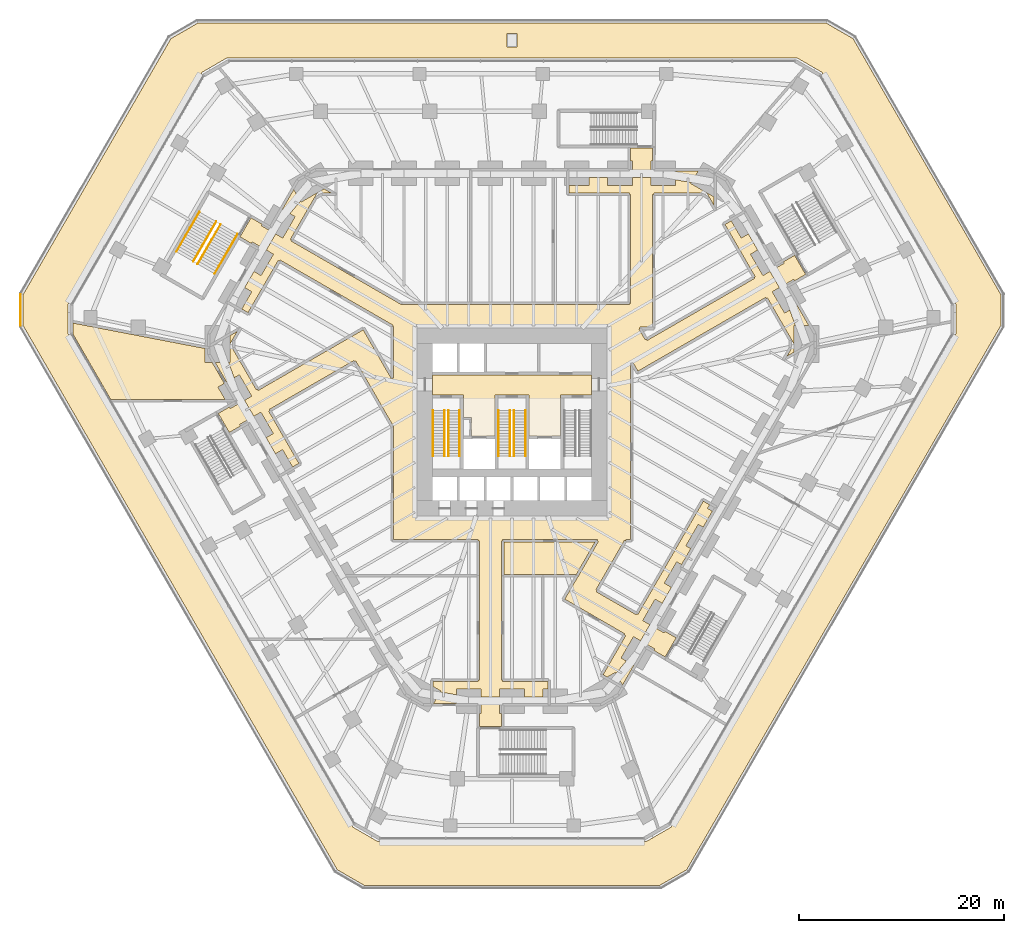
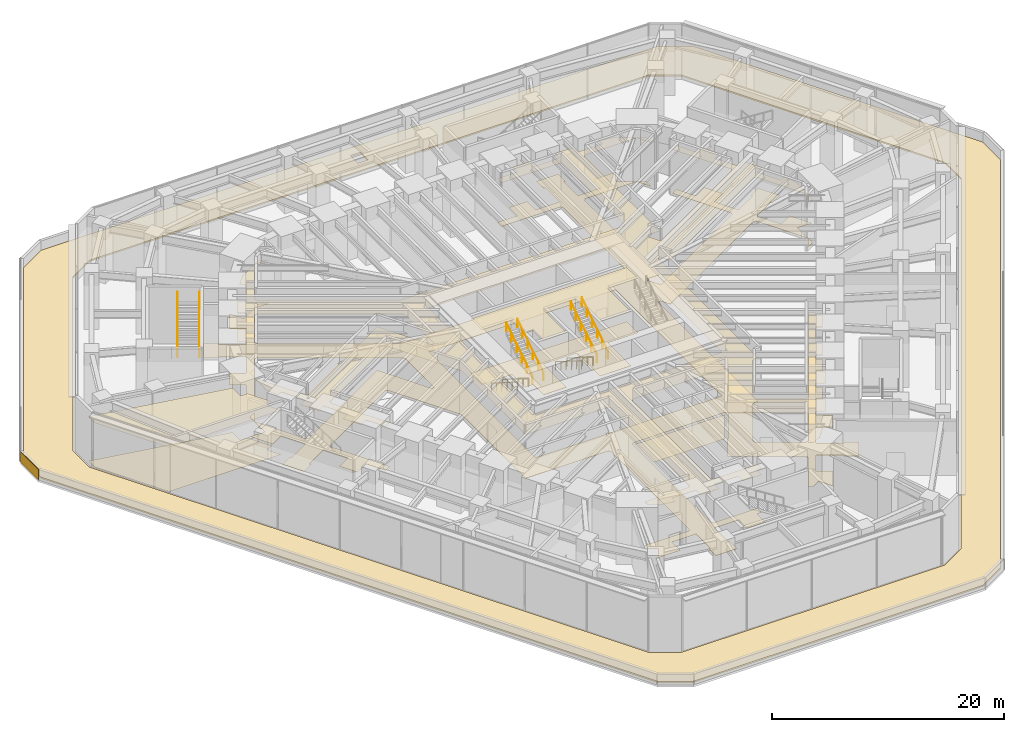
# One storey, part 23 of 25: 12 railings, 9 coverings.
"""IFC4 building model written with IfcOpenShell, lengths in metres."""

from ifc_helpers import new_model, si_unit, direction, frame, frame_2d, origin, origin_2d, place, context, subcontext, project, spatial, polyline, rectangle, circle, outline, extrude, material, layer, layer_set, type_object, element, save


model = new_model("IFC4")

# Units and contexts
model_context = context("Model", 3, precision=1e-05, world=origin(), true_north=direction((0.0, 1.0)))
body_context = subcontext(model_context, "Body", "Model", "MODEL_VIEW")
ifc_project = project(units=[si_unit("LENGTHUNIT", "METRE"), si_unit("AREAUNIT", "SQUARE_METRE"), si_unit("VOLUMEUNIT", "CUBIC_METRE"), si_unit("PLANEANGLEUNIT", "RADIAN"), si_unit("MASSUNIT", "GRAM", prefix="KILO")], contexts=[model_context])

# Site, building, storey
site_placement = place(None, origin())
site = spatial("IfcSite", under=ifc_project, at=site_placement, CompositionType="ELEMENT")
building_placement = place(site_placement, origin())
building = spatial("IfcBuilding", under=site, at=building_placement, Name="Sandreach Pilgrim Tower", CompositionType="ELEMENT")
storey_placement = place(building_placement, frame((0.0, 0.0, 6.0)))
storey = spatial("IfcBuildingStorey", under=building, at=storey_placement, Name="L01", CompositionType="ELEMENT", Elevation=6.0)

# Coverings
ifc_material_1 = material(Name="Acoustic mineral fibre tile ceiling on a suspension grid", Category="mineral")
ifc_layer_1 = layer(ifc_material_1, 0.02001953125)
ifc_layer_set_1 = layer_set([ifc_layer_1], Name="Acoustic mineral tile ceiling")
covering_type_1 = type_object("IfcCoveringType", Name="Acoustic mineral tile ceiling", PredefinedType="CEILING", material=ifc_layer_set_1)
covering_1_placement = place(storey_placement, frame((0.0, 0.0, 4.60009765625)))
element("IfcCovering", 1, at=covering_1_placement, inside=storey, type_object=covering_type_1, Name="Ceiling 01C Prayer foyer", PredefinedType="CEILING", context=body_context, shape_type="SweptSolid", body=[
    extrude(outline(polyline([(-27.5126953125, 4.26220703125), (-27.5126953125, 6.868896484375), (-26.77490234375, 7.2958984375), (-27.489990234375, 6.067138671875), (-24.908203125, 1.587646484375), (-24.800048828125, 1.64990234375), (-24.737548828125, 1.541748046875), (-14.505859375, 7.44921875), (-11.7783203125, 2.717529296875), (-11.544921875, 2.780029296875), (-11.544921875, 7.7900390625), (-11.670166015625, 7.7900390625), (-11.607666015625, 7.898193359375), (-22.617431640625, 14.248291015625), (-22.679931640625, 14.14013671875), (-22.7880859375, 14.20263671875), (-25.725830078125, 9.12060546875), (-26.342041015625, 9.476318359375), (-25.370849609375, 11.157958984375), (-26.063720703125, 11.55810546875), (-25.152587890625, 13.13623046875), (-24.459716796875, 12.736328125), (-23.259765625, 14.814697265625), (-23.95263671875, 15.214599609375), (-23.04150390625, 16.79296875), (-22.3486328125, 16.392822265625), (-21.148681640625, 18.47119140625), (-21.654541015625, 18.763427734375), (-20.623291015625, 19.99609375), (-20.565185546875, 19.8955078125), (-18.325439453125, 21.188720703125), (-17.607421875, 20.77490234375), (-18.994384765625, 20.77490234375), (-21.588134765625, 16.282470703125), (-21.47998046875, 16.219970703125), (-21.54248046875, 16.11181640625), (-10.763427734375, 9.89501953125), (11.429931640625, 9.89501953125), (11.429931640625, 10.02001953125), (11.554931640625, 10.02001953125), (11.554931640625, 20.64990234375), (11.429931640625, 20.64990234375), (11.429931640625, 20.77490234375), (5.554931640625, 20.77490234375), (5.554931640625, 21.48876953125), (7.514892578125, 21.48876953125), (7.514892578125, 22.288818359375), (9.32470703125, 22.288818359375), (9.32470703125, 21.48876953125), (11.724853515625, 21.48876953125), (11.724853515625, 22.288818359375), (13.53466796875, 22.288818359375), (13.53466796875, 21.48876953125), (15.934814453125, 21.48876953125), (15.934814453125, 22.072265625), (17.505859375, 21.796875), (17.447509765625, 21.695556640625), (19.69775390625, 20.396484375), (19.702392578125, 19.55029296875), (18.993896484375, 20.77490234375), (13.830078125, 20.77490234375), (13.830078125, 20.64990234375), (13.705078125, 20.64990234375), (13.705078125, 7.695068359375), (12.5, 7.695068359375), (12.5, 7.570068359375), (12.391845703125, 7.507080078125), (13.001953125, 6.457275390625), (13.111328125, 6.517822265625), (13.172607421875, 6.411865234375), (23.652587890625, 12.461669921875), (23.590087890625, 12.570068359375), (23.6982421875, 12.632568359375), (20.7607421875, 17.71435546875), (21.379638671875, 18.0712890625), (22.3486328125, 16.392822265625), (23.04150390625, 16.79296875), (23.95263671875, 15.214599609375), (23.259765625, 14.814697265625), (24.459716796875, 12.736328125), (25.152587890625, 13.13623046875), (26.063720703125, 11.55810546875), (25.370849609375, 11.157958984375), (26.571044921875, 9.07958984375), (27.076904296875, 9.37158203125), (27.628662109375, 7.862060546875), (27.5126953125, 7.862060546875), (27.5126953125, 5.280029296875), (26.793701171875, 4.863525390625), (27.48974609375, 6.064208984375), (24.898193359375, 10.552490234375), (24.7900390625, 10.489990234375), (24.7275390625, 10.598388671875), (12.275390625, 3.410400390625), (11.778076171875, 4.262939453125), (11.544921875, 4.199951171875), (11.544921875, -12.9951171875), (11.10009765625, -12.9951171875), (11.10009765625, -13.131591796875), (10.9716796875, -13.0576171875), (8.171630859375, -17.91748046875), (8.280029296875, -17.97998046875), (8.2177734375, -18.08837890625), (12.107666015625, -20.328369140625), (12.169921875, -20.219970703125), (12.2783203125, -20.282470703125), (18.64599609375, -9.26025390625), (19.2626953125, -9.613525390625), (19.062255859375, -9.960693359375), (19.53759765625, -10.235107421875), (18.632568359375, -11.802490234375), (18.1572265625, -11.528076171875), (16.957275390625, -13.6064453125), (17.432373046875, -13.880859375), (16.52734375, -15.4482421875), (16.05224609375, -15.174072265625), (14.852294921875, -17.25244140625), (15.545166015625, -17.65234375), (14.64013671875, -19.219970703125), (13.947265625, -18.81982421875), (12.747314453125, -20.8984375), (13.440185546875, -21.29833984375), (12.53515625, -22.86572265625), (11.842529296875, -22.4658203125), (10.642333984375, -24.544189453125), (11.147705078125, -24.8359375), (10.12353515625, -26.05908203125), (10.065185546875, -25.957763671875), (9.283447265625, -26.4091796875), (8.8798828125, -26.175537109375), (11.078369140625, -22.362548828125), (10.951904296875, -22.28955078125), (11.00244140625, -22.20166015625), (5.14111328125, -18.814453125), (6.439453125, -16.583251953125), (6.452880859375, -16.5908203125), (8.418212890625, -13.182373046875), (8.31005859375, -13.1201171875), (8.31005859375, -12.9951171875), (-0.909912109375, -12.9951171875), (-0.909912109375, -13.1201171875), (-1.034912109375, -13.1201171875), (-1.034912109375, -26.7099609375), (-0.9111328125, -26.7099609375), (-0.909423828125, -26.8349609375), (3.485107421875, -26.81494140625), (3.485107421875, -27.55078125), (3.022216796875, -27.55078125), (3.022216796875, -28.350830078125), (1.199951171875, -28.350830078125), (1.199951171875, -27.55078125), (-1.199951171875, -27.55078125), (-1.199951171875, -28.350830078125), (-3.022216796875, -28.350830078125), (-3.022216796875, -27.55078125), (-5.42236328125, -27.55078125), (-5.42236328125, -28.135009765625), (-7.00537109375, -27.858154296875), (-6.947509765625, -27.7578125), (-7.705078125, -27.3203125), (-7.705078125, -26.815673828125), (-3.310546875, -26.8349609375), (-3.31005859375, -26.7099609375), (-3.18505859375, -26.7099609375), (-3.18505859375, -13.1201171875), (-3.31005859375, -13.1201171875), (-3.31005859375, -12.9951171875), (-11.544921875, -12.9951171875), (-11.544921875, -1.986572265625), (-15.231689453125, 4.402587890625), (-15.340087890625, 4.340087890625), (-15.402587890625, 4.4482421875), (-23.66259765625, -0.32177734375), (-23.60009765625, -0.429931640625), (-23.708251953125, -0.492431640625), (-20.770751953125, -5.57421875), (-21.388916015625, -5.930908203125), (-22.3671875, -4.236328125), (-23.06005859375, -4.63623046875), (-23.965087890625, -3.06884765625), (-23.272216796875, -2.6689453125), (-24.47216796875, -0.59033203125), (-25.1650390625, -0.990478515625), (-26.070068359375, 0.5771484375), (-25.377197265625, 0.97705078125), (-26.5771484375, 3.055419921875), (-27.08251953125, 2.763671875), (-27.629638671875, 4.26220703125), (-27.5126953125, 4.26220703125)]), holes=[polyline([(9.27001953125, -10.719970703125), (9.27001953125, 7.6201171875), (-9.27001953125, 7.6201171875), (-9.27001953125, -10.719970703125), (9.27001953125, -10.719970703125)])]), origin(), (0.0, 0.0, 1.0), 0.02001953125),
])
ifc_material_2 = material(Name="Nylon carpet tile on the slab", Category="textile")
ifc_layer_2 = layer(ifc_material_2, 0.008056640625)
ifc_layer_set_2 = layer_set([ifc_layer_2], Name="Carpet tile")
covering_type_2 = type_object("IfcCoveringType", Name="Carpet tile", PredefinedType="FLOORING", material=ifc_layer_set_2)
covering_2_placement = place(storey_placement, origin())
element("IfcCovering", 2, at=covering_2_placement, inside=storey, type_object=covering_type_2, Name="Floor finish 01N3 Pilgrim counselling office", PredefinedType="FLOORING", context=body_context, shape_type="SweptSolid", body=[
    extrude(outline(polyline([(-42.79541015625, 7.02734375), (-42.79541015625, 8.105224609375), (-37.143310546875, 7.016845703125), (-37.143310546875, 6.994384765625), (-37.026611328125, 6.994384765625), (-29.91259765625, 5.62451171875), (-29.91259765625, 4.26220703125), (-29.223876953125, 4.26220703125), (-28.0400390625, 2.2109375), (-28.655517578125, 1.85546875), (-27.956787109375, 0.64501953125), (-39.110595703125, 0.64501953125), (-42.79541015625, 7.02734375)])), origin(), (0.0, 0.0, 1.0), 0.008056640625),
])
covering_3_placement = place(storey_placement, origin())
element("IfcCovering", 3, at=covering_3_placement, inside=storey, type_object=covering_type_2, Name="Floor finish 01FL Fire service lift lobby", PredefinedType="FLOORING", context=body_context, shape_type="SweptSolid", body=[
    extrude(outline(polyline([(-3.949951171875, -1.125), (-4.75, -1.125), (-4.75, 1.10009765625), (-7.75, 1.10009765625), (-7.75, 3.050048828125), (7.75, 3.050048828125), (7.75, 1.10009765625), (4.75, 1.10009765625), (4.75, -2.89990234375), (1.64990234375, -2.89990234375), (1.64990234375, 1.10009765625), (-1.64990234375, 1.10009765625), (-1.64990234375, -2.89990234375), (-3.949951171875, -2.89990234375), (-3.949951171875, -1.125)])), origin(), (0.0, 0.0, 1.0), 0.008056640625),
])
ifc_material_3 = material(Name="Epoxy resin floor on the slab", Category="plastic")
ifc_layer_3 = layer(ifc_material_3, 0.00390625)
ifc_layer_set_3 = layer_set([ifc_layer_3], Name="Epoxy resin floor")
covering_type_3 = type_object("IfcCoveringType", Name="Epoxy resin floor", PredefinedType="FLOORING", material=ifc_layer_set_3)
covering_4_placement = place(storey_placement, origin())
element("IfcCovering", 4, at=covering_4_placement, inside=storey, type_object=covering_type_3, Name="Floor finish 01B5 Quran store", PredefinedType="FLOORING", context=body_context, shape_type="SweptSolid", body=[
    extrude(outline(polyline([(8.093505859375, -13.2451171875), (6.277099609375, -16.39501953125), (-0.784912109375, -16.39501953125), (-0.784912109375, -13.2451171875), (8.093505859375, -13.2451171875)])), origin(), (0.0, 0.0, 1.0), 0.00390625),
])
ifc_material_4 = material(Name="Gypsum board suspended ceiling on a steel grid", Category="steel")
ifc_layer_4 = layer(ifc_material_4, 0.012939453125)
ifc_layer_set_4 = layer_set([ifc_layer_4], Name="Gypsum board suspended ceiling")
covering_type_4 = type_object("IfcCoveringType", Name="Gypsum board suspended ceiling", PredefinedType="CEILING", material=ifc_layer_set_4)
covering_5_placement = place(storey_placement, frame((0.0, 0.0, 4.64990234375)))
element("IfcCovering", 5, at=covering_5_placement, inside=storey, type_object=covering_type_4, Name="Ceiling 01N3 Pilgrim counselling office", PredefinedType="CEILING", context=body_context, shape_type="SweptSolid", body=[
    extrude(outline(polyline([(-42.79541015625, 7.02734375), (-42.79541015625, 8.105224609375), (-37.143310546875, 7.016845703125), (-37.143310546875, 6.994384765625), (-37.026611328125, 6.994384765625), (-29.91259765625, 5.62451171875), (-29.91259765625, 4.26220703125), (-29.223876953125, 4.26220703125), (-28.0400390625, 2.2109375), (-28.655517578125, 1.85546875), (-27.956787109375, 0.64501953125), (-39.110595703125, 0.64501953125), (-42.79541015625, 7.02734375)])), origin(), (0.0, 0.0, 1.0), 0.01318359375),
])
covering_6_placement = place(storey_placement, frame((0.0, 0.0, 5.699951171875)))
element("IfcCovering", 6, at=covering_6_placement, inside=storey, type_object=covering_type_4, Name="Ceiling 01FL Fire service lift lobby", PredefinedType="CEILING", context=body_context, shape_type="SweptSolid", body=[
    extrude(outline(polyline([(-3.949951171875, -1.125), (-4.75, -1.125), (-4.75, 1.10009765625), (-7.75, 1.10009765625), (-7.75, 3.050048828125), (7.75, 3.050048828125), (7.75, 1.10009765625), (4.75, 1.10009765625), (4.75, -2.89990234375), (1.64990234375, -2.89990234375), (1.64990234375, 1.10009765625), (-1.64990234375, 1.10009765625), (-1.64990234375, -2.89990234375), (-3.949951171875, -2.89990234375), (-3.949951171875, -1.125)])), origin(), (0.0, 0.0, 1.0), 0.012939453125),
])

# Railings
ifc_material_5 = material(Name="Stainless steel tube", Category="steel")
railing_type = type_object("IfcRailingType", Name="Stair handrail", PredefinedType="HANDRAIL", material=ifc_material_5)
for number, where, name in (
    (7, (-6.60009765625, -0.39990234375, 0.176513671875), "Handrail ST1 L01 flight 1"),
    (8, (-7.699951171875, -0.39990234375, 0.176513671875), "Handrail ST1 L01 flight 1"),
):
    element("IfcRailing", number, at=place(storey_placement, frame(where)), inside=storey, type_object=railing_type, Name=name, PredefinedType="HANDRAIL", context=body_context, shape_type="SweptSolid", body=[
        extrude(circle(Radius=0.02392578125, at=origin_2d()), frame((0.0, 0.0, 0.8759765625), z_axis=(0.0, -0.845997938375, 0.533186166611), x_axis=(1.0, 0.0, 0.0)), (0.0, 0.0, 1.0), 5.29541015625),
        extrude(circle(Radius=0.02099609375, at=origin_2d()), origin(), (0.0, 0.0, 1.0), 0.851806640625),
        extrude(circle(Radius=0.02099609375, at=origin_2d()), frame((0.0, -0.89599609375, 0.564697265625)), (0.0, 0.0, 1.0), 0.851806640625),
        extrude(circle(Radius=0.02099609375, at=origin_2d()), frame((0.0, -1.7919921875, 1.12939453125)), (0.0, 0.0, 1.0), 0.851806640625),
        extrude(circle(Radius=0.02099609375, at=origin_2d()), frame((0.0, -2.68798828125, 1.694091796875)), (0.0, 0.0, 1.0), 0.851806640625),
        extrude(circle(Radius=0.02099609375, at=origin_2d()), frame((0.0, -3.583984375, 2.2587890625)), (0.0, 0.0, 1.0), 0.851806640625),
        extrude(circle(Radius=0.02099609375, at=origin_2d()), frame((0.0, -4.47998046875, 2.823486328125)), (0.0, 0.0, 1.0), 0.851806640625),
    ])
for number, where, name in (
    (9, (-6.199951171875, -4.8798828125, 3.176513671875), "Handrail ST1 L01 flight 2"),
    (10, (-5.10009765625, -4.8798828125, 3.176513671875), "Handrail ST1 L01 flight 2"),
):
    element("IfcRailing", number, at=place(storey_placement, frame(where)), inside=storey, type_object=railing_type, Name=name, PredefinedType="HANDRAIL", context=body_context, shape_type="SweptSolid", body=[
        extrude(circle(Radius=0.02392578125, at=origin_2d()), frame((0.0, 0.0, 0.8759765625), z_axis=(0.0, 0.845997938375, 0.533186166611), x_axis=(-1.0, 0.0, 0.0)), (0.0, 0.0, 1.0), 5.29541015625),
        extrude(circle(Radius=0.02099609375, at=origin_2d()), origin(), (0.0, 0.0, 1.0), 0.851806640625),
        extrude(circle(Radius=0.02099609375, at=origin_2d()), frame((0.0, 0.89599609375, 0.564697265625)), (0.0, 0.0, 1.0), 0.851806640625),
        extrude(circle(Radius=0.02099609375, at=origin_2d()), frame((0.0, 1.7919921875, 1.12939453125)), (0.0, 0.0, 1.0), 0.851806640625),
        extrude(circle(Radius=0.02099609375, at=origin_2d()), frame((0.0, 2.68798828125, 1.694091796875)), (0.0, 0.0, 1.0), 0.851806640625),
        extrude(circle(Radius=0.02099609375, at=origin_2d()), frame((0.0, 3.583984375, 2.2587890625)), (0.0, 0.0, 1.0), 0.851806640625),
        extrude(circle(Radius=0.02099609375, at=origin_2d()), frame((0.0, 4.47998046875, 2.823486328125)), (0.0, 0.0, 1.0), 0.851806640625),
    ])
for number, where, name in (
    (11, (-0.199951171875, -0.39990234375, 0.176513671875), "Handrail ST3 L01 flight 1"),
    (12, (-1.300048828125, -0.39990234375, 0.176513671875), "Handrail ST3 L01 flight 1"),
):
    element("IfcRailing", number, at=place(storey_placement, frame(where)), inside=storey, type_object=railing_type, Name=name, PredefinedType="HANDRAIL", context=body_context, shape_type="SweptSolid", body=[
        extrude(circle(Radius=0.02392578125, at=origin_2d()), frame((0.0, 0.0, 0.8759765625), z_axis=(0.0, -0.845997938375, 0.533186166611), x_axis=(1.0, 0.0, 0.0)), (0.0, 0.0, 1.0), 5.29541015625),
        extrude(circle(Radius=0.02099609375, at=origin_2d()), origin(), (0.0, 0.0, 1.0), 0.851806640625),
        extrude(circle(Radius=0.02099609375, at=origin_2d()), frame((0.0, -0.89599609375, 0.564697265625)), (0.0, 0.0, 1.0), 0.851806640625),
        extrude(circle(Radius=0.02099609375, at=origin_2d()), frame((0.0, -1.7919921875, 1.12939453125)), (0.0, 0.0, 1.0), 0.851806640625),
        extrude(circle(Radius=0.02099609375, at=origin_2d()), frame((0.0, -2.68798828125, 1.694091796875)), (0.0, 0.0, 1.0), 0.851806640625),
        extrude(circle(Radius=0.02099609375, at=origin_2d()), frame((0.0, -3.583984375, 2.2587890625)), (0.0, 0.0, 1.0), 0.851806640625),
        extrude(circle(Radius=0.02099609375, at=origin_2d()), frame((0.0, -4.47998046875, 2.823486328125)), (0.0, 0.0, 1.0), 0.851806640625),
    ])
for number, where, name in (
    (13, (0.199951171875, -4.8798828125, 3.176513671875), "Handrail ST3 L01 flight 2"),
    (14, (1.300048828125, -4.8798828125, 3.176513671875), "Handrail ST3 L01 flight 2"),
):
    element("IfcRailing", number, at=place(storey_placement, frame(where)), inside=storey, type_object=railing_type, Name=name, PredefinedType="HANDRAIL", context=body_context, shape_type="SweptSolid", body=[
        extrude(circle(Radius=0.02392578125, at=origin_2d()), frame((0.0, 0.0, 0.8759765625), z_axis=(0.0, 0.845997938375, 0.533186166611), x_axis=(-1.0, 0.0, 0.0)), (0.0, 0.0, 1.0), 5.29541015625),
        extrude(circle(Radius=0.02099609375, at=origin_2d()), origin(), (0.0, 0.0, 1.0), 0.851806640625),
        extrude(circle(Radius=0.02099609375, at=origin_2d()), frame((0.0, 0.89599609375, 0.564697265625)), (0.0, 0.0, 1.0), 0.851806640625),
        extrude(circle(Radius=0.02099609375, at=origin_2d()), frame((0.0, 1.7919921875, 1.12939453125)), (0.0, 0.0, 1.0), 0.851806640625),
        extrude(circle(Radius=0.02099609375, at=origin_2d()), frame((0.0, 2.68798828125, 1.694091796875)), (0.0, 0.0, 1.0), 0.851806640625),
        extrude(circle(Radius=0.02099609375, at=origin_2d()), frame((0.0, 3.583984375, 2.2587890625)), (0.0, 0.0, 1.0), 0.851806640625),
        extrude(circle(Radius=0.02099609375, at=origin_2d()), frame((0.0, 4.47998046875, 2.823486328125)), (0.0, 0.0, 1.0), 0.851806640625),
    ])
for number, where, name in (
    (15, (-28.830322265625, 17.986083984375, 0.176513671875), "Handrail ST6 L01 flight 1"),
    (16, (-30.475830078125, 18.93603515625, 0.176513671875), "Handrail ST6 L01 flight 1"),
):
    element("IfcRailing", number, at=place(storey_placement, frame(where)), inside=storey, type_object=railing_type, Name=name, PredefinedType="HANDRAIL", context=body_context, shape_type="SweptSolid", body=[
        extrude(circle(Radius=0.02392578125, at=origin_2d()), frame((0.0, 0.0, 0.8759765625), z_axis=(-0.42299277051, -0.732664971003, 0.533178353237), x_axis=(0.866031314237, -0.499989762656, 0.0)), (0.0, 0.0, 1.0), 5.295654296875),
        extrude(circle(Radius=0.02099609375, at=origin_2d()), origin(), (0.0, 0.0, 1.0), 0.851806640625),
        extrude(circle(Radius=0.02099609375, at=origin_2d()), frame((-0.447998046875, -0.77587890625, 0.564697265625)), (0.0, 0.0, 1.0), 0.851806640625),
        extrude(circle(Radius=0.02099609375, at=origin_2d()), frame((-0.89599609375, -1.552001953125, 1.12939453125)), (0.0, 0.0, 1.0), 0.851806640625),
        extrude(circle(Radius=0.02099609375, at=origin_2d()), frame((-1.343994140625, -2.327880859375, 1.694091796875)), (0.0, 0.0, 1.0), 0.851806640625),
        extrude(circle(Radius=0.02099609375, at=origin_2d()), frame((-1.7919921875, -3.10400390625, 2.2587890625)), (0.0, 0.0, 1.0), 0.851806640625),
        extrude(circle(Radius=0.02099609375, at=origin_2d()), frame((-2.239990234375, -3.8798828125, 2.823486328125)), (0.0, 0.0, 1.0), 0.851806640625),
    ])
for number, where, name in (
    (17, (-30.637451171875, 13.856201171875, 3.176513671875), "Handrail ST6 L01 flight 2"),
    (18, (-28.991943359375, 12.90625, 3.176513671875), "Handrail ST6 L01 flight 2"),
):
    element("IfcRailing", number, at=place(storey_placement, frame(where)), inside=storey, type_object=railing_type, Name=name, PredefinedType="HANDRAIL", context=body_context, shape_type="SweptSolid", body=[
        extrude(circle(Radius=0.02392578125, at=origin_2d()), frame((0.0, 0.0, 0.8759765625), z_axis=(0.42299277051, 0.732664971003, 0.533178353237), x_axis=(-0.866031314237, 0.499989762656, 0.0)), (0.0, 0.0, 1.0), 5.295654296875),
        extrude(circle(Radius=0.02099609375, at=origin_2d()), origin(), (0.0, 0.0, 1.0), 0.851806640625),
        extrude(circle(Radius=0.02099609375, at=origin_2d()), frame((0.447998046875, 0.77587890625, 0.564697265625)), (0.0, 0.0, 1.0), 0.851806640625),
        extrude(circle(Radius=0.02099609375, at=origin_2d()), frame((0.89599609375, 1.552001953125, 1.12939453125)), (0.0, 0.0, 1.0), 0.851806640625),
        extrude(circle(Radius=0.02099609375, at=origin_2d()), frame((1.343994140625, 2.327880859375, 1.694091796875)), (0.0, 0.0, 1.0), 0.851806640625),
        extrude(circle(Radius=0.02099609375, at=origin_2d()), frame((1.7919921875, 3.10400390625, 2.2587890625)), (0.0, 0.0, 1.0), 0.851806640625),
        extrude(circle(Radius=0.02099609375, at=origin_2d()), frame((2.239990234375, 3.8798828125, 2.823486328125)), (0.0, 0.0, 1.0), 0.851806640625),
    ])

# Coverings
ifc_material_6 = material(Name="Concrete pavers on pedestals, insulation and waterproofing membrane", Category="concrete")
ifc_layer_5 = layer(ifc_material_6, 0.14990234375)
ifc_layer_set_5 = layer_set([ifc_layer_5], Name="Terrace roofing - pavers on pedestals over insulation and membrane")
covering_type_5 = type_object("IfcCoveringType", Name="Terrace roofing - pavers on pedestals over insulation and membrane", PredefinedType="ROOFING", material=ifc_layer_set_5)
covering_7_placement = place(storey_placement, origin())
element("IfcCovering", 19, at=covering_7_placement, inside=storey, type_object=covering_type_5, Name="Terrace roofing L01 RING", PredefinedType="ROOFING", context=body_context, shape_type="SweptSolid", body=[
    extrude(outline(polyline([(-30.63037109375, 37.33935546875), (30.63037109375, 37.33935546875), (33.247802734375, 35.830322265625), (47.65380859375, 10.878173828125), (47.652099609375, 7.85693359375), (17.021728515625, -45.1962890625), (14.406005859375, -46.70849609375), (-14.406005859375, -46.70849609375), (-17.021728515625, -45.1962890625), (-47.652099609375, 7.85693359375), (-47.65380859375, 10.878173828125), (-33.247802734375, 35.830322265625), (-30.63037109375, 37.33935546875)]), holes=[polyline([(-30.208251953125, 32.548095703125), (-43.291748046875, 9.886962890625), (-43.291748046875, 7.0869140625), (-15.50830078125, -41.03515625), (-13.08349609375, -42.435302734375), (13.08349609375, -42.435302734375), (15.50830078125, -41.03515625), (43.291748046875, 7.0869140625), (43.291748046875, 9.886962890625), (30.208251953125, 32.548095703125), (27.783447265625, 33.9482421875), (-27.783447265625, 33.9482421875), (-30.208251953125, 32.548095703125)]), polyline([(0.5, 35.016845703125), (0.5, 36.31689453125), (-0.5, 36.31689453125), (-0.5, 35.016845703125), (0.5, 35.016845703125)])]), origin(), (0.0, 0.0, 1.0), 0.14990234375),
])
ifc_material_7 = material(Name="Terracotta rainscreen panels on aluminium rails", Category="masonry")
ifc_layer_6 = layer(ifc_material_7, 0.050048828125)
ifc_layer_set_6 = layer_set([ifc_layer_6], Name="Terracotta rainscreen cladding 50")
covering_type_6 = type_object("IfcCoveringType", Name="Terracotta rainscreen cladding 50", PredefinedType="CLADDING", material=ifc_layer_set_6)
covering_8_placement = place(storey_placement, frame((-47.933837890625, 10.912841796875, 0.0), z_axis=(0.0, 0.0, 1.0), x_axis=(0.000552922506, -0.999999847138, 0.0)))
element("IfcCovering", 20, at=covering_8_placement, inside=storey, type_object=covering_type_6, Name="Rainscreen cladding on setback parapet l01 3", PredefinedType="CLADDING", context=body_context, shape_type="SweptSolid", body=[
    extrude(rectangle(XDim=3.0908203125, YDim=0.050048828125, at=frame_2d((1.54541015625, 0.0))), origin(), (0.0, 0.0, 1.0), 1.10009765625),
])
ifc_material_8 = material(Name="Cement terrazzo, ground and polished", Category="terrazzo")
ifc_layer_7 = layer(ifc_material_8, 0.02490234375)
ifc_layer_set_7 = layer_set([ifc_layer_7], Name="Terrazzo")
covering_type_7 = type_object("IfcCoveringType", Name="Terrazzo", PredefinedType="FLOORING", material=ifc_layer_set_7)
covering_9_placement = place(storey_placement, origin())
element("IfcCovering", 21, at=covering_9_placement, inside=storey, type_object=covering_type_7, Name="Floor finish 01C Prayer foyer", PredefinedType="FLOORING", context=body_context, shape_type="SweptSolid", body=[
    extrude(outline(polyline([(-27.5126953125, 6.868896484375), (-26.77490234375, 7.2958984375), (-27.489990234375, 6.067138671875), (-24.908203125, 1.587646484375), (-24.800048828125, 1.64990234375), (-24.737548828125, 1.541748046875), (-14.505859375, 7.44921875), (-11.7783203125, 2.717529296875), (-11.544921875, 2.780029296875), (-11.544921875, 7.7900390625), (-11.670166015625, 7.7900390625), (-11.607666015625, 7.898193359375), (-22.617431640625, 14.248291015625), (-22.679931640625, 14.14013671875), (-22.7880859375, 14.20263671875), (-25.725830078125, 9.12060546875), (-26.342041015625, 9.476318359375), (-25.370849609375, 11.157958984375), (-26.616943359375, 11.87744140625), (-25.705078125, 13.455322265625), (-24.459716796875, 12.736328125), (-23.259765625, 14.814697265625), (-25.338134765625, 16.0146484375), (-25.42236328125, 15.869140625), (-26.511962890625, 16.501708984375), (-25.436279296875, 18.364990234375), (-24.3466796875, 17.732177734375), (-24.427001953125, 17.5927734375), (-22.3486328125, 16.392822265625), (-21.148681640625, 18.47119140625), (-22.3916015625, 19.18896484375), (-21.27294921875, 21.12158203125), (-20.565185546875, 19.8955078125), (-18.325439453125, 21.188720703125), (-17.607421875, 20.77490234375), (-18.994384765625, 20.77490234375), (-21.588134765625, 16.282470703125), (-21.47998046875, 16.219970703125), (-21.54248046875, 16.11181640625), (-10.763427734375, 9.89501953125), (11.429931640625, 9.89501953125), (11.429931640625, 10.02001953125), (11.554931640625, 10.02001953125), (11.554931640625, 20.64990234375), (11.429931640625, 20.64990234375), (11.429931640625, 20.77490234375), (5.554931640625, 20.77490234375), (5.554931640625, 21.48876953125), (7.514892578125, 21.48876953125), (7.514892578125, 22.925048828125), (9.32470703125, 22.925048828125), (9.32470703125, 21.48876953125), (11.724853515625, 21.48876953125), (11.724853515625, 23.888671875), (11.554931640625, 23.888671875), (11.554931640625, 25.148681640625), (13.705078125, 25.148681640625), (13.705078125, 23.888671875), (13.53466796875, 23.888671875), (13.53466796875, 21.48876953125), (15.934814453125, 21.48876953125), (15.934814453125, 22.925048828125), (18.1572265625, 22.925048828125), (17.447509765625, 21.695556640625), (19.69775390625, 20.396484375), (19.702392578125, 19.55029296875), (18.993896484375, 20.77490234375), (13.830078125, 20.77490234375), (13.830078125, 20.64990234375), (13.705078125, 20.64990234375), (13.705078125, 7.695068359375), (12.5, 7.695068359375), (12.5, 7.570068359375), (12.391845703125, 7.507080078125), (13.001953125, 6.457275390625), (13.111328125, 6.517822265625), (13.172607421875, 6.411865234375), (23.652587890625, 12.461669921875), (23.590087890625, 12.570068359375), (23.6982421875, 12.632568359375), (20.7607421875, 17.71435546875), (21.379638671875, 18.0712890625), (22.3486328125, 16.392822265625), (23.593994140625, 17.11181640625), (24.505859375, 15.5341796875), (23.259765625, 14.814697265625), (24.459716796875, 12.736328125), (26.538330078125, 13.936279296875), (26.456298828125, 14.078125), (27.548583984375, 14.706298828125), (28.6240234375, 12.84326171875), (27.531982421875, 12.215087890625), (27.449462890625, 12.358154296875), (25.370849609375, 11.157958984375), (26.571044921875, 9.07958984375), (27.81640625, 9.798583984375), (28.93310546875, 7.862060546875), (27.5126953125, 7.862060546875), (27.5126953125, 5.280029296875), (26.793701171875, 4.863525390625), (27.48974609375, 6.064208984375), (24.898193359375, 10.552490234375), (24.7900390625, 10.489990234375), (24.7275390625, 10.598388671875), (12.275390625, 3.410400390625), (11.778076171875, 4.262939453125), (11.544921875, 4.199951171875), (11.544921875, -12.9951171875), (11.10009765625, -12.9951171875), (11.10009765625, -13.131591796875), (10.9716796875, -13.0576171875), (8.171630859375, -17.91748046875), (8.280029296875, -17.97998046875), (8.2177734375, -18.08837890625), (12.107666015625, -20.328369140625), (12.169921875, -20.219970703125), (12.2783203125, -20.282470703125), (18.64599609375, -9.26025390625), (19.2626953125, -9.613525390625), (19.062255859375, -9.960693359375), (19.53759765625, -10.235107421875), (18.632568359375, -11.802490234375), (18.1572265625, -11.528076171875), (16.957275390625, -13.6064453125), (17.432373046875, -13.880859375), (16.52734375, -15.4482421875), (16.05224609375, -15.174072265625), (14.852294921875, -17.25244140625), (16.0986328125, -17.971923828125), (15.19287109375, -19.5390625), (13.947265625, -18.81982421875), (12.747314453125, -20.8984375), (14.825927734375, -22.098388671875), (14.912109375, -21.948974609375), (16.001708984375, -22.58154296875), (14.926025390625, -24.44482421875), (13.83642578125, -23.81201171875), (13.9208984375, -23.665771484375), (11.842529296875, -22.4658203125), (10.642333984375, -24.544189453125), (11.884521484375, -25.261474609375), (10.773193359375, -27.18408203125), (10.065185546875, -25.957763671875), (9.283447265625, -26.4091796875), (8.8798828125, -26.175537109375), (11.078369140625, -22.362548828125), (10.951904296875, -22.28955078125), (11.00244140625, -22.20166015625), (5.14111328125, -18.814453125), (6.439453125, -16.583251953125), (6.452880859375, -16.5908203125), (8.418212890625, -13.182373046875), (8.31005859375, -13.1201171875), (8.31005859375, -12.9951171875), (-0.909912109375, -12.9951171875), (-0.909912109375, -13.1201171875), (-1.034912109375, -13.1201171875), (-1.034912109375, -26.7099609375), (-0.9111328125, -26.7099609375), (-0.909423828125, -26.8349609375), (3.485107421875, -26.81494140625), (3.485107421875, -27.55078125), (3.022216796875, -27.55078125), (3.022216796875, -28.985107421875), (1.199951171875, -28.985107421875), (1.199951171875, -27.55078125), (-1.199951171875, -27.55078125), (-1.199951171875, -29.950927734375), (-1.034912109375, -29.950927734375), (-1.034912109375, -31.2109375), (-3.18505859375, -31.2109375), (-3.18505859375, -29.950927734375), (-3.022216796875, -29.950927734375), (-3.022216796875, -27.55078125), (-5.42236328125, -27.55078125), (-5.42236328125, -28.985107421875), (-7.656005859375, -28.985107421875), (-6.947509765625, -27.7578125), (-7.705078125, -27.3203125), (-7.705078125, -26.815673828125), (-3.310546875, -26.8349609375), (-3.31005859375, -26.7099609375), (-3.18505859375, -26.7099609375), (-3.18505859375, -13.1201171875), (-3.31005859375, -13.1201171875), (-3.31005859375, -12.9951171875), (-11.544921875, -12.9951171875), (-11.544921875, -1.986572265625), (-15.231689453125, 4.402587890625), (-15.340087890625, 4.340087890625), (-15.402587890625, 4.4482421875), (-23.66259765625, -0.32177734375), (-23.60009765625, -0.429931640625), (-23.708251953125, -0.492431640625), (-20.770751953125, -5.57421875), (-21.388916015625, -5.930908203125), (-22.3671875, -4.236328125), (-23.614501953125, -4.956298828125), (-24.519775390625, -3.38916015625), (-23.272216796875, -2.6689453125), (-24.47216796875, -0.59033203125), (-26.550537109375, -1.790283203125), (-26.465576171875, -1.937744140625), (-27.557861328125, -2.56591796875), (-28.63330078125, -0.702880859375), (-27.541259765625, -0.07470703125), (-27.45556640625, -0.222900390625), (-25.377197265625, 0.97705078125), (-26.5771484375, 3.055419921875), (-27.823486328125, 2.3359375), (-28.935302734375, 4.26220703125), (-27.5126953125, 4.26220703125), (-27.5126953125, 6.868896484375)]), holes=[polyline([(9.27001953125, -10.719970703125), (9.27001953125, 7.6201171875), (-9.27001953125, 7.6201171875), (-9.27001953125, -10.719970703125), (9.27001953125, -10.719970703125)])]), origin(), (0.0, 0.0, 1.0), 0.02490234375),
])

save(model, "model.ifc")
